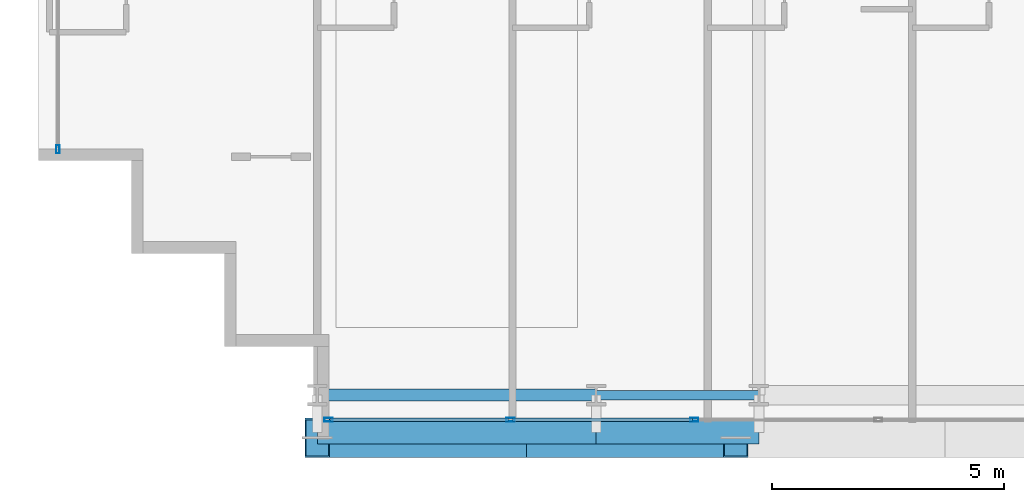
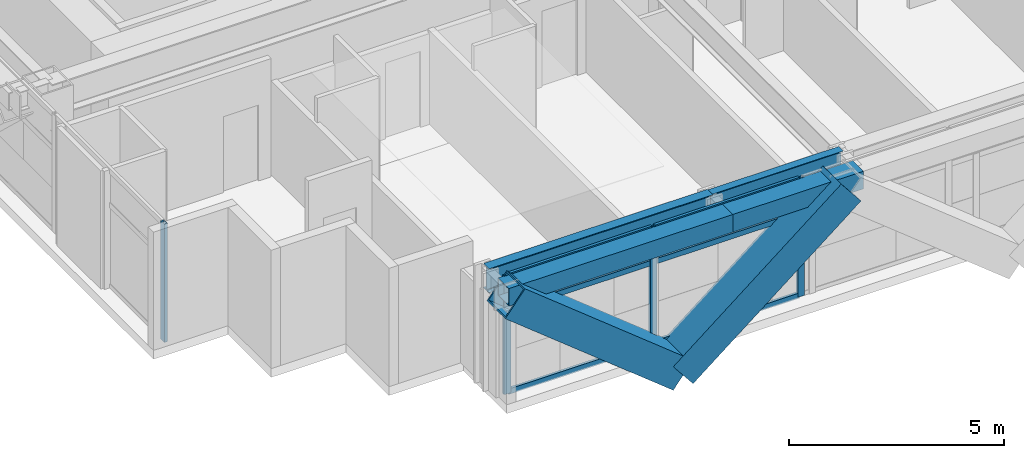
# One storey, part 2 of 41: 12 members, 4 beams, 2 elements without a shape of their own.
"""IFC4 building model written with IfcOpenShell, lengths in metres."""

from ifc_helpers import new_model, si_unit, direction, frame, origin, origin_2d, place, context, subcontext, project, spatial, hollow_rectangle, i_section, extrude, source, transform, mapped, material, layer, layer_set, material_profile, profile_set, type_object, element, aggregate, save


model = new_model("IFC4")

# Units and contexts
model_context = context("Model", 3, precision=1e-05, world=origin(), true_north=direction((0.0, 1.0)))
body_context = subcontext(model_context, "Body", "Model", "MODEL_VIEW")
ifc_project = project(units=[si_unit("LENGTHUNIT", "METRE"), si_unit("AREAUNIT", "SQUARE_METRE"), si_unit("VOLUMEUNIT", "CUBIC_METRE"), si_unit("PLANEANGLEUNIT", "RADIAN"), si_unit("MASSUNIT", "GRAM", prefix="KILO")], contexts=[model_context])

# Site, building, storey
site_placement = place(None, origin())
site = spatial("IfcSite", under=ifc_project, at=site_placement, CompositionType="ELEMENT")
building_placement = place(site_placement, origin())
building = spatial("IfcBuilding", under=site, at=building_placement, Name="Ocotamira Hotel", CompositionType="ELEMENT")
storey_placement = place(building_placement, frame((0.0, 0.0, 38.39990234375)))
storey = spatial("IfcBuildingStorey", under=building, at=storey_placement, Name="L08", CompositionType="ELEMENT", Elevation=38.39990234375)

# Beams
ifc_material_1 = material(Name="Steel ASTM A992 Grade 50", Category="steel")
ifc_material_profile_1 = material_profile(ifc_material_1, i_section(OverallWidth=0.256103515625, OverallDepth=0.693115234375, WebThickness=0.014404296875, FlangeThickness=0.023681640625, FilletRadius=0.01611328125, at=origin_2d()), Name="W27X114")
ifc_profile_set_1 = profile_set([ifc_material_profile_1], Name="Steel ASTM A992 Grade 50")
beam_type_1 = type_object("IfcBeamType", Name="BM-PRIM-W27X114", PredefinedType="BEAM", material=ifc_profile_set_1)
shared_shape_1 = source(origin(), body_context, "Body", "SweptSolid", [
    extrude(i_section(OverallWidth=0.256103515625, OverallDepth=0.693115234375, WebThickness=0.014404296875, FlangeThickness=0.023681640625, FilletRadius=0.01611328125, at=origin_2d()), origin(), (0.0, 0.0, 1.0), 6.0),
])
beam_1_placement = place(storey_placement, frame((14.0, 2.949951171875, 3.003662109375), z_axis=(1.0, 0.0, 0.0), x_axis=(0.0, 1.0, 0.0)))
element("IfcBeam", 1, at=beam_1_placement, inside=storey, type_object=beam_type_1, Name="L08 Girder Y2.95 X14-20", PredefinedType="BEAM", context=body_context, shape_type="MappedRepresentation", body=[
    mapped(shared_shape_1, transform((0.0, 0.0, 0.0), scale=1.0)),
])
ifc_material_profile_2 = material_profile(ifc_material_1, i_section(OverallWidth=0.2099609375, OverallDepth=0.537109375, WebThickness=0.010986328125, FlangeThickness=0.017333984375, FilletRadius=0.012939453125, at=origin_2d()), Name="W21X68")
ifc_profile_set_2 = profile_set([ifc_material_profile_2], Name="Steel ASTM A992 Grade 50")
beam_type_2 = type_object("IfcBeamType", Name="BM-SEC-W21X68", PredefinedType="JOIST", material=ifc_profile_set_2)
shared_shape_2 = source(origin(), body_context, "Body", "SweptSolid", [
    extrude(i_section(OverallWidth=0.2099609375, OverallDepth=0.537109375, WebThickness=0.010986328125, FlangeThickness=0.017333984375, FilletRadius=0.012939453125, at=origin_2d()), origin(), (0.0, 0.0, 1.0), 3.5),
])
beam_2_placement = place(storey_placement, frame((20.0, 2.949951171875, 3.08154296875), z_axis=(1.0, 0.0, 0.0), x_axis=(0.0, 1.0, 0.0)))
element("IfcBeam", 2, at=beam_2_placement, inside=storey, type_object=beam_type_2, Name="L08 Girder Y2.95 X20-23.5", PredefinedType="JOIST", context=body_context, shape_type="MappedRepresentation", body=[
    mapped(shared_shape_2, transform((0.0, 0.0, 0.0), scale=1.0)),
])
ifc_material_2 = material(Name="Steel ASTM A500 Grade C", Category="steel")
ifc_material_profile_3 = material_profile(ifc_material_2, hollow_rectangle(XDim=0.5, YDim=0.5, WallThickness=0.02001953125, at=origin_2d()), Name="HSS500X500X20")
ifc_profile_set_3 = profile_set([ifc_material_profile_3], Name="Steel ASTM A500 Grade C")
beam_type_3 = type_object("IfcBeamType", Name="BM-SPAN-HSS500", PredefinedType="USERDEFINED", material=ifc_profile_set_3)
shared_shape_3 = source(origin(), body_context, "Body", "SweptSolid", [
    extrude(hollow_rectangle(XDim=0.5, YDim=0.5, WallThickness=0.02001953125, at=origin_2d()), origin(), (0.0, 0.0, 1.0), 6.0),
])
beam_3_placement = place(storey_placement, frame((14.0, 2.14990234375, 3.10009765625), z_axis=(1.0, 0.0, 0.0), x_axis=(0.0, 1.0, 0.0)))
element("IfcBeam", 3, at=beam_3_placement, inside=storey, type_object=beam_type_3, Name="L08 Edge Spandrel S X14-20", ObjectType="SPANDREL", PredefinedType="USERDEFINED", context=body_context, shape_type="MappedRepresentation", body=[
    mapped(shared_shape_3, transform((0.0, 0.0, 0.0), scale=1.0)),
])
shared_shape_4 = source(origin(), body_context, "Body", "SweptSolid", [
    extrude(hollow_rectangle(XDim=0.5, YDim=0.5, WallThickness=0.02001953125, at=origin_2d()), origin(), (0.0, 0.0, 1.0), 3.5),
])
beam_4_placement = place(storey_placement, frame((20.0, 2.14990234375, 3.10009765625), z_axis=(1.0, 0.0, 0.0), x_axis=(0.0, 1.0, 0.0)))
element("IfcBeam", 4, at=beam_4_placement, inside=storey, type_object=beam_type_3, Name="L08 Edge Spandrel S X20-23.5", ObjectType="SPANDREL", PredefinedType="USERDEFINED", context=body_context, shape_type="MappedRepresentation", body=[
    mapped(shared_shape_4, transform((0.0, 0.0, 0.0), scale=1.0)),
])

# Members
ifc_material_3 = material(Name="Pale-metal coated steel ASTM A913 Grade 65", Category="steel")
ifc_material_profile_4 = material_profile(ifc_material_3, hollow_rectangle(XDim=0.85009765625, YDim=0.85009765625, WallThickness=0.035888671875, at=origin_2d()), Name="BOX850X850X36")
ifc_profile_set_4 = profile_set([ifc_material_profile_4], Name="Pale-metal coated steel ASTM A913 Grade 65")
member_type_1 = type_object("IfcMemberType", Name="MEM-EXO-BOX850", PredefinedType="BRACE", material=ifc_profile_set_4)
shared_shape_5 = source(origin(), body_context, "Body", "SweptSolid", [
    extrude(hollow_rectangle(XDim=0.85009765625, YDim=0.85009765625, WallThickness=0.035888671875, at=origin_2d()), origin(), (0.0, 0.0, 1.0), 5.762939453125),
])
for number, where, z_axis, x_axis, name in (
    (5, (18.5, 2.030029296875, -0.5), (-0.780860543151, 0.0, 0.624705380279), (0.0, -1.0, 0.0), "L08 Exoskeleton Diagrid S0.1"),
    (6, (18.5, 2.030029296875, -0.5), (0.780860543151, 0.0, 0.624705380279), (0.0, 1.0, 0.0), "L08 Exoskeleton Diagrid S0.2"),
):
    element("IfcMember", number, at=place(storey_placement, frame(where, z_axis=z_axis, x_axis=x_axis)), inside=storey, type_object=member_type_1, Name=name, PredefinedType="BRACE", context=body_context, shape_type="MappedRepresentation", body=[
        mapped(shared_shape_5, transform((0.0, 0.0, 0.0), scale=1.0)),
    ])

# Curtain wall, members
ifc_material_4 = material(Name="Anodised pale-metal aluminium and solar glass", Category="aluminium")
ifc_layer = layer(ifc_material_4, 0.179931640625)
ifc_layer_set = layer_set([ifc_layer], Name="Anodised pale-metal aluminium and solar glass")
curtain_wall_type = type_object("IfcCurtainWallType", Name="CW-SYS2-Z1", PredefinedType="NOTDEFINED", material=ifc_layer_set)
curtain_wall_1_placement = place(storey_placement, origin())
curtain_wall_1 = element("IfcCurtainWall", 7, at=curtain_wall_1_placement, inside=storey, type_object=curtain_wall_type, Name="L08 Curtain Wall CW-2 CW-L08-S1", PredefinedType="NOTDEFINED")
ifc_material_5 = material(Name="Anodised pale-metal aluminium 6063-T6", Category="aluminium")
ifc_material_profile_5 = material_profile(ifc_material_5, hollow_rectangle(XDim=0.074951171875, YDim=0.14990234375, WallThickness=0.006103515625, at=origin_2d()), Name="HSS150X75X6")
ifc_profile_set_5 = profile_set([ifc_material_profile_5], Name="Anodised pale-metal aluminium 6063-T6")
member_type_2 = type_object("IfcMemberType", Name="CWT-150X75", PredefinedType="USERDEFINED", material=ifc_profile_set_5)
shared_shape_6 = source(origin(), body_context, "Body", "SweptSolid", [
    extrude(hollow_rectangle(XDim=0.074951171875, YDim=0.14990234375, WallThickness=0.006103515625, at=origin_2d()), origin(), (0.0, 0.0, 1.0), 3.83544921875),
])
member_1_placement = place(storey_placement, frame((14.280029296875, 2.419921875, 0.03759765625), z_axis=(1.0, 0.0, 0.0), x_axis=(0.0, 1.0, 0.0)))
member_1 = element("IfcMember", 8, at=member_1_placement, type_object=member_type_2, Name="CW-2 transom 1.1", ObjectType="TRANSOM", PredefinedType="USERDEFINED", context=body_context, shape_type="MappedRepresentation", body=[
    mapped(shared_shape_6, transform((0.0, 0.0, 0.0), scale=1.0)),
])
member_2_placement = place(storey_placement, frame((14.280029296875, 2.419921875, 2.35009765625), z_axis=(1.0, 0.0, 0.0), x_axis=(0.0, 1.0, 0.0)))
member_2 = element("IfcMember", 9, at=member_2_placement, type_object=member_type_2, Name="CW-2 transom 1.2", ObjectType="TRANSOM", PredefinedType="USERDEFINED", context=body_context, shape_type="MappedRepresentation", body=[
    mapped(shared_shape_6, transform((0.0, 0.0, 0.0), scale=1.0)),
])
member_3_placement = place(storey_placement, frame((14.280029296875, 2.419921875, 3.3125), z_axis=(1.0, 0.0, 0.0), x_axis=(0.0, 1.0, 0.0)))
member_3 = element("IfcMember", 10, at=member_3_placement, type_object=member_type_2, Name="CW-2 transom 1.3", ObjectType="TRANSOM", PredefinedType="USERDEFINED", context=body_context, shape_type="MappedRepresentation", body=[
    mapped(shared_shape_6, transform((0.0, 0.0, 0.0), scale=1.0)),
])
shared_shape_7 = source(origin(), body_context, "Body", "SweptSolid", [
    extrude(hollow_rectangle(XDim=0.074951171875, YDim=0.14990234375, WallThickness=0.006103515625, at=origin_2d()), origin(), (0.0, 0.0, 1.0), 3.87548828125),
])
member_4_placement = place(storey_placement, frame((18.195556640625, 2.419921875, 0.03759765625), z_axis=(1.0, 0.0, 0.0), x_axis=(0.0, 1.0, 0.0)))
member_4 = element("IfcMember", 11, at=member_4_placement, type_object=member_type_2, Name="CW-2 transom 2.1", ObjectType="TRANSOM", PredefinedType="USERDEFINED", context=body_context, shape_type="MappedRepresentation", body=[
    mapped(shared_shape_7, transform((0.0, 0.0, 0.0), scale=1.0)),
])
member_5_placement = place(storey_placement, frame((18.195556640625, 2.419921875, 2.35009765625), z_axis=(1.0, 0.0, 0.0), x_axis=(0.0, 1.0, 0.0)))
member_5 = element("IfcMember", 12, at=member_5_placement, type_object=member_type_2, Name="CW-2 transom 2.2", ObjectType="TRANSOM", PredefinedType="USERDEFINED", context=body_context, shape_type="MappedRepresentation", body=[
    mapped(shared_shape_7, transform((0.0, 0.0, 0.0), scale=1.0)),
])
member_6_placement = place(storey_placement, frame((18.195556640625, 2.419921875, 3.3125), z_axis=(1.0, 0.0, 0.0), x_axis=(0.0, 1.0, 0.0)))
member_6 = element("IfcMember", 13, at=member_6_placement, type_object=member_type_2, Name="CW-2 transom 2.3", ObjectType="TRANSOM", PredefinedType="USERDEFINED", context=body_context, shape_type="MappedRepresentation", body=[
    mapped(shared_shape_7, transform((0.0, 0.0, 0.0), scale=1.0)),
])
ifc_material_profile_6 = material_profile(ifc_material_5, hollow_rectangle(XDim=0.080078125, YDim=0.179931640625, WallThickness=0.006103515625, at=origin_2d()), Name="HSS180X80X6")
ifc_profile_set_6 = profile_set([ifc_material_profile_6], Name="Anodised pale-metal aluminium 6063-T6")
member_type_3 = type_object("IfcMemberType", Name="CWM-180X75", PredefinedType="MULLION", material=ifc_profile_set_6)
shared_shape_8 = source(origin(), body_context, "Body", "SweptSolid", [
    extrude(hollow_rectangle(XDim=0.080078125, YDim=0.179931640625, WallThickness=0.006103515625, at=origin_2d()), origin(), (0.0, 0.0, 1.0), 3.35009765625),
])
member_7_placement = place(storey_placement, frame((14.239990234375, 2.419921875, 0.0), z_axis=(0.0, 0.0, 1.0), x_axis=(0.0, 1.0, 0.0)))
member_7 = element("IfcMember", 14, at=member_7_placement, type_object=member_type_3, Name="CW-2 mullion 1", PredefinedType="MULLION", context=body_context, shape_type="MappedRepresentation", body=[
    mapped(shared_shape_8, transform((0.0, 0.0, 0.0), scale=1.0)),
])
member_8_placement = place(storey_placement, frame((18.155517578125, 2.419921875, 0.0), z_axis=(0.0, 0.0, 1.0), x_axis=(0.0, 1.0, 0.0)))
member_8 = element("IfcMember", 15, at=member_8_placement, type_object=member_type_3, Name="CW-2 mullion 2", PredefinedType="MULLION", context=body_context, shape_type="MappedRepresentation", body=[
    mapped(shared_shape_8, transform((0.0, 0.0, 0.0), scale=1.0)),
])
member_9_placement = place(storey_placement, frame((22.111083984375, 2.419921875, 0.0), z_axis=(0.0, 0.0, 1.0), x_axis=(0.0, 1.0, 0.0)))
member_9 = element("IfcMember", 16, at=member_9_placement, type_object=member_type_3, Name="CW-2 mullion 3", PredefinedType="MULLION", context=body_context, shape_type="MappedRepresentation", body=[
    mapped(shared_shape_8, transform((0.0, 0.0, 0.0), scale=1.0)),
])
aggregate(curtain_wall_1, [member_7, member_8, member_9, member_1, member_2, member_3, member_4, member_5, member_6])

# Curtain wall, member
curtain_wall_2_placement = place(storey_placement, origin())
curtain_wall_2 = element("IfcCurtainWall", 17, at=curtain_wall_2_placement, inside=storey, type_object=curtain_wall_type, Name="L08 Curtain Wall CW-2 CW-L08-W", PredefinedType="NOTDEFINED")
member_10_placement = place(storey_placement, frame((8.419921875, 8.239990234375, 0.0), z_axis=(0.0, 0.0, 1.0), x_axis=(-1.0, 0.0, 0.0)))
member_10 = element("IfcMember", 18, at=member_10_placement, type_object=member_type_3, Name="CW-2 mullion 1", PredefinedType="MULLION", context=body_context, shape_type="MappedRepresentation", body=[
    mapped(shared_shape_8, transform((0.0, 0.0, 0.0), scale=1.0)),
])
aggregate(curtain_wall_2, [member_10])

save(model, "model.ifc")
